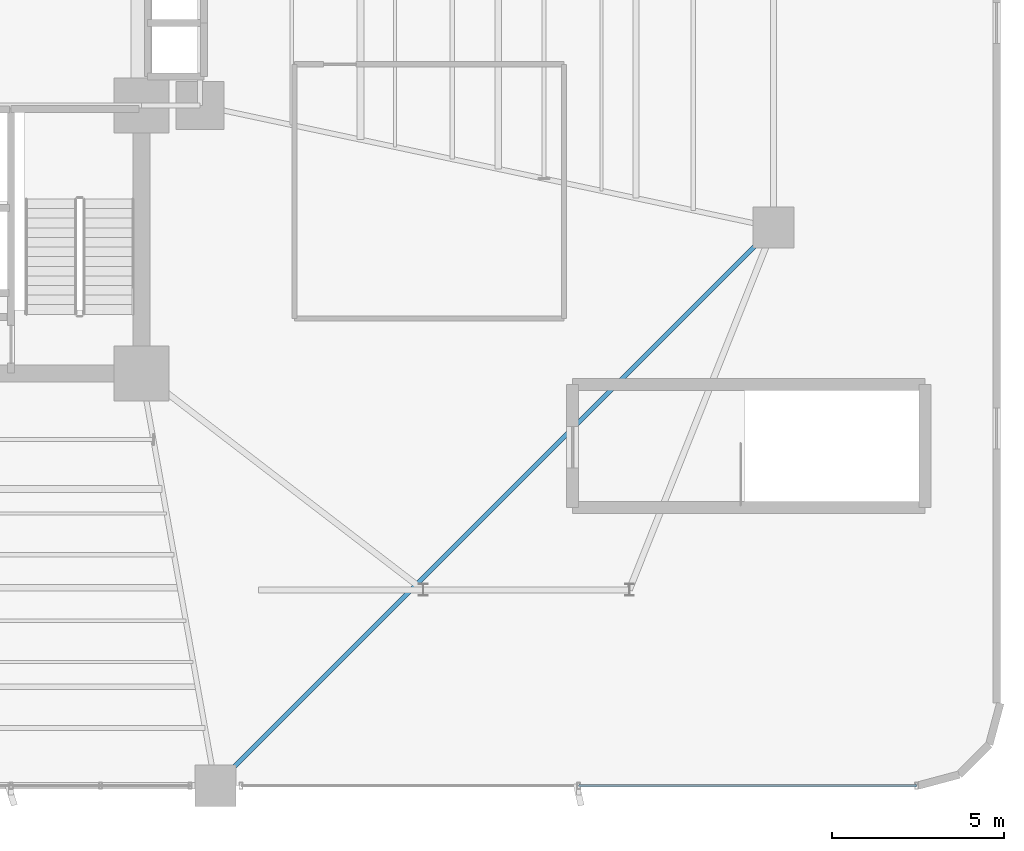
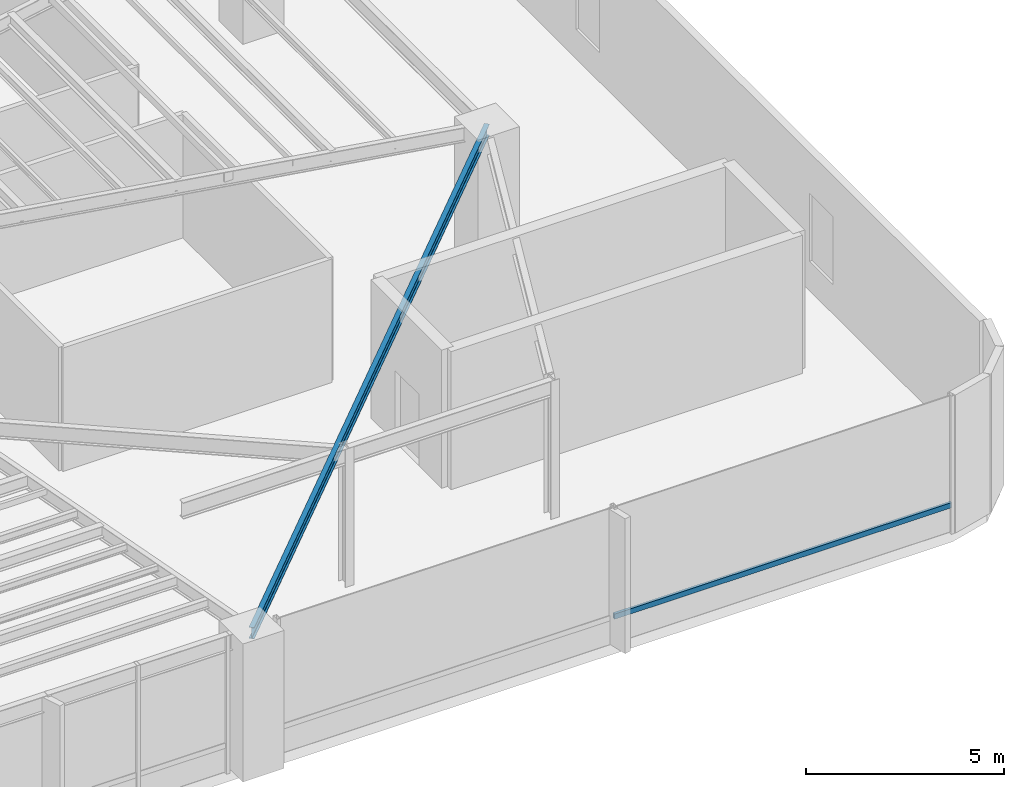
# One storey, part 10 of 26: 1 beam, 1 member, 1 element without a shape of its own.
"""IFC4 building model written with IfcOpenShell, lengths in metres."""

from ifc_helpers import new_model, si_unit, direction, frame, origin, origin_2d, place, context, subcontext, project, spatial, hollow_rectangle, i_section, extrude, source, transform, mapped, material, material_profile, profile_set, type_object, element, aggregate, save


model = new_model("IFC4")

# Units and contexts
model_context = context("Model", 3, precision=1e-05, world=origin(), true_north=direction((0.0, 1.0)))
body_context = subcontext(model_context, "Body", "Model", "MODEL_VIEW")
ifc_project = project(units=[si_unit("LENGTHUNIT", "METRE"), si_unit("AREAUNIT", "SQUARE_METRE"), si_unit("VOLUMEUNIT", "CUBIC_METRE"), si_unit("PLANEANGLEUNIT", "RADIAN"), si_unit("MASSUNIT", "GRAM", prefix="KILO")], contexts=[model_context])

# Site, building, storey
site_placement = place(None, origin())
site = spatial("IfcSite", under=ifc_project, at=site_placement, CompositionType="ELEMENT")
building_placement = place(site_placement, origin())
building = spatial("IfcBuilding", under=site, at=building_placement, Name="Sahyath Konkavel Grand Hotel", CompositionType="ELEMENT")
storey_placement = place(building_placement, frame((0.0, 0.0, 18.60009765625)))
storey = spatial("IfcBuildingStorey", under=building, at=storey_placement, Name="L04", CompositionType="ELEMENT", Elevation=18.60009765625)

# Beam
ifc_material_1 = material(Name="Steel E350", Category="steel")
ifc_material_profile_1 = material_profile(ifc_material_1, i_section(OverallWidth=0.139892578125, OverallDepth=0.35009765625, WebThickness=0.008056640625, FlangeThickness=0.01416015625, FilletRadius=0.013916015625, at=origin_2d()), Name="ISMB 350")
ifc_profile_set_1 = profile_set([ifc_material_profile_1], Name="Steel E350")
beam_type = type_object("IfcBeamType", Name="BM-ISMB350", PredefinedType="BEAM", material=ifc_profile_set_1)
shared_shape_1 = source(origin(), body_context, "Body", "SweptSolid", [
    extrude(i_section(OverallWidth=0.139892578125, OverallDepth=0.35009765625, WebThickness=0.008056640625, FlangeThickness=0.01416015625, FilletRadius=0.013916015625, at=origin_2d()), origin(), (0.0, 0.0, 1.0), 22.98095703125),
])
beam_placement = place(storey_placement, frame((22.199951171875, -5.949951171875, 4.02490234375), z_axis=(-0.707106781187, -0.707106781187, 0.0), x_axis=(0.707106781187, -0.707106781187, 0.0)))
element("IfcBeam", 1, at=beam_placement, inside=storey, type_object=beam_type, Name="L04 Re-Entrant Tie Beam SE", PredefinedType="BEAM", context=body_context, shape_type="MappedRepresentation", body=[
    mapped(shared_shape_1, transform((0.0, 0.0, 0.0), scale=1.0)),
])

# Curtain wall, member
ifc_material_2 = material(Name="Anodised Bronze Aluminium & Low-E Glazing", Category="aluminium")
curtain_wall_type = type_object("IfcCurtainWallType", Name="CW-PODIUM", PredefinedType="NOTDEFINED", material=ifc_material_2)
curtain_wall_placement = place(storey_placement, origin())
curtain_wall = element("IfcCurtainWall", 2, at=curtain_wall_placement, inside=storey, type_object=curtain_wall_type, Name="L04 Unitised Curtain Wall S3", PredefinedType="NOTDEFINED")
ifc_material_3 = material(Name="Anodised Bronze Aluminium", Category="aluminium")
ifc_material_profile_2 = material_profile(ifc_material_3, hollow_rectangle(XDim=0.080078125, YDim=0.159912109375, WallThickness=0.006103515625, at=origin_2d()), Name="RHS 160x80x6")
ifc_profile_set_2 = profile_set([ifc_material_profile_2], Name="Anodised Bronze Aluminium")
member_type = type_object("IfcMemberType", Name="CW-TRN-160", PredefinedType="USERDEFINED", material=ifc_profile_set_2)
shared_shape_2 = source(origin(), body_context, "Body", "SweptSolid", [
    extrude(hollow_rectangle(XDim=0.080078125, YDim=0.159912109375, WallThickness=0.006103515625, at=origin_2d()), origin(), (0.0, 0.0, 1.0), 9.835205078125),
])
member_placement = place(storey_placement, frame((16.52490234375, -22.199951171875, 0.849853515625), z_axis=(1.0, 0.0, 0.0), x_axis=(0.0, 1.0, 0.0)))
member = element("IfcMember", 3, at=member_placement, type_object=member_type, Name="L04 Curtain Wall Transom S3-1-spandrel", ObjectType="TRANSOM", PredefinedType="USERDEFINED", context=body_context, shape_type="MappedRepresentation", body=[
    mapped(shared_shape_2, transform((0.0, 0.0, 0.0), scale=1.0)),
])
aggregate(curtain_wall, [member])

save(model, "model.ifc")
